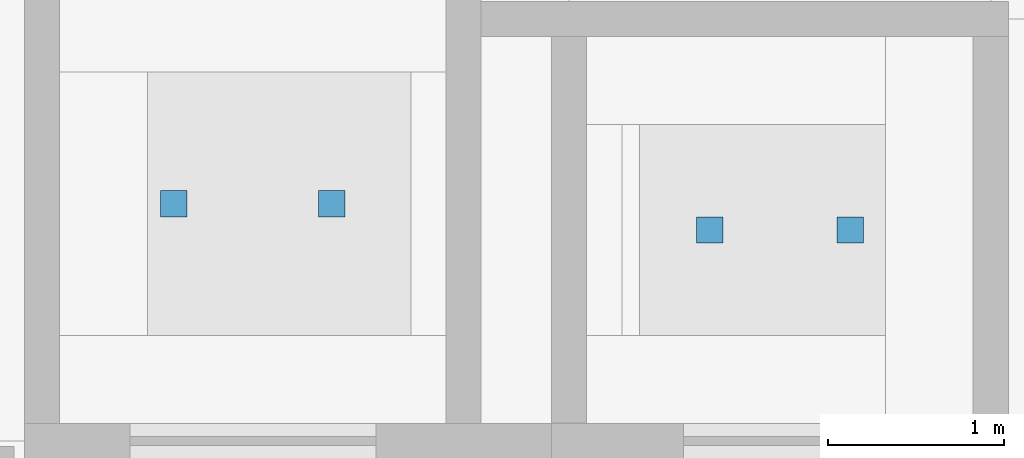
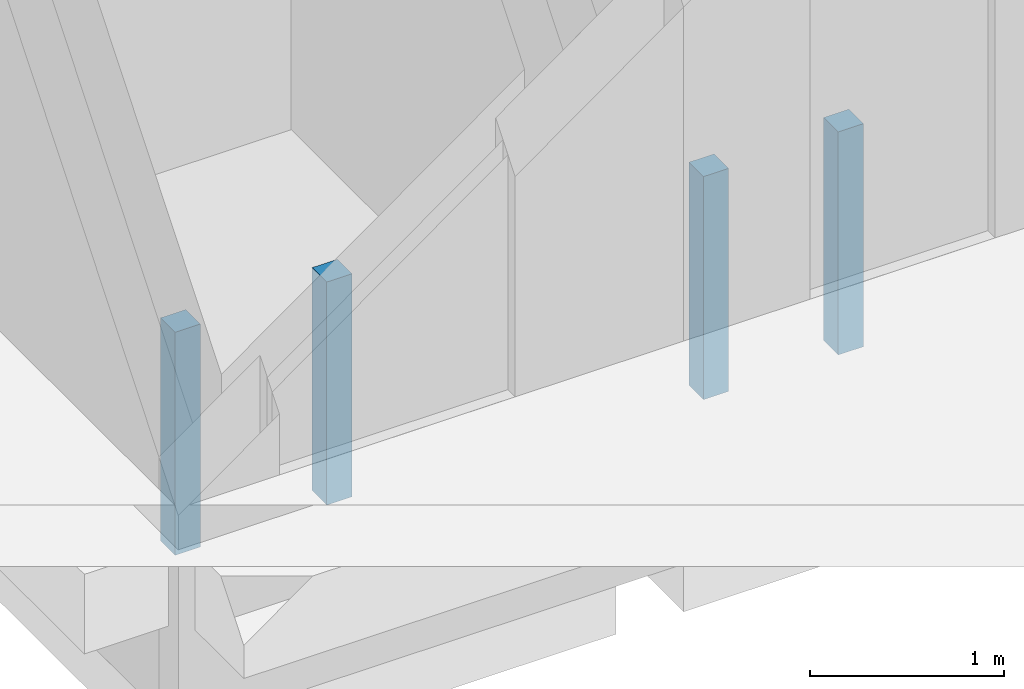
# One storey, part 111 of 148: 4 discrete accessories.
"""IFC4 building model written with IfcOpenShell, lengths in metres."""

from ifc_helpers import new_model, si_unit, direction, frame, origin, origin_2d, place, context, subcontext, project, spatial, rectangle, extrude, material, layer, layer_set, type_object, element, save


model = new_model("IFC4")

# Units and contexts
model_context = context("Model", 3, precision=1e-05, world=origin(), true_north=direction((0.0, 1.0)))
body_context = subcontext(model_context, "Body", "Model", "MODEL_VIEW")
ifc_project = project(units=[si_unit("LENGTHUNIT", "METRE"), si_unit("AREAUNIT", "SQUARE_METRE"), si_unit("VOLUMEUNIT", "CUBIC_METRE"), si_unit("PLANEANGLEUNIT", "RADIAN"), si_unit("MASSUNIT", "GRAM", prefix="KILO")], contexts=[model_context])

# Site, building, storey
site_placement = place(None, origin())
site = spatial("IfcSite", under=ifc_project, at=site_placement, CompositionType="ELEMENT")
building_placement = place(site_placement, origin())
building = spatial("IfcBuilding", under=site, at=building_placement, Name="Kupolbacken Congress Centre", CompositionType="ELEMENT")
storey_placement = place(building_placement, origin())
storey = spatial("IfcBuildingStorey", under=building, at=storey_placement, Name="L00", CompositionType="ELEMENT", Elevation=0.0)

# Discrete accessories
ifc_material = material(Name="Steel S355", Category="steel")
ifc_layer = layer(ifc_material, 0.011962890625)
ifc_layer_set = layer_set([ifc_layer], Name="Steel S355")
discrete_accessory_type = type_object("IfcDiscreteAccessoryType", Name="BK1 bracket 150 x 150 x 12", PredefinedType="BRACKET", material=ifc_layer_set)
for number, where, z_axis, x_axis, name in (
    (1, (16.300048828125, 112.89990234375, -1.39990234375), (0.0, 0.0, 1.0), (1.0, 0.0, 0.0), "Lift car buffer post LP7"),
    (2, (17.10009765625, 112.89990234375, -1.39990234375), (0.0, 0.0, 1.0), (1.0, 0.0, 0.0), "Lift car buffer post LP7"),
    (3, (13.25, 113.050048828125, -1.39990234375), (0.0, 0.0, 1.0), (1.0, 0.0, 0.0), "Lift car buffer post LG1"),
    (4, (14.14990234375, 113.050048828125, -1.39990234375), (0.0, 0.0, 1.0), (1.0, 0.0, 0.0), "Lift car buffer post LG1"),
):
    element("IfcDiscreteAccessory", number, at=place(storey_placement, frame(where, z_axis=z_axis, x_axis=x_axis)), inside=storey, type_object=discrete_accessory_type, Name=name, PredefinedType="BRACKET", context=body_context, shape_type="SweptSolid", body=[
        extrude(rectangle(XDim=0.14990234375, YDim=0.14990234375, at=origin_2d()), origin(), (0.0, 0.0, 1.0), 1.39990234375),
    ])

save(model, "model.ifc")
